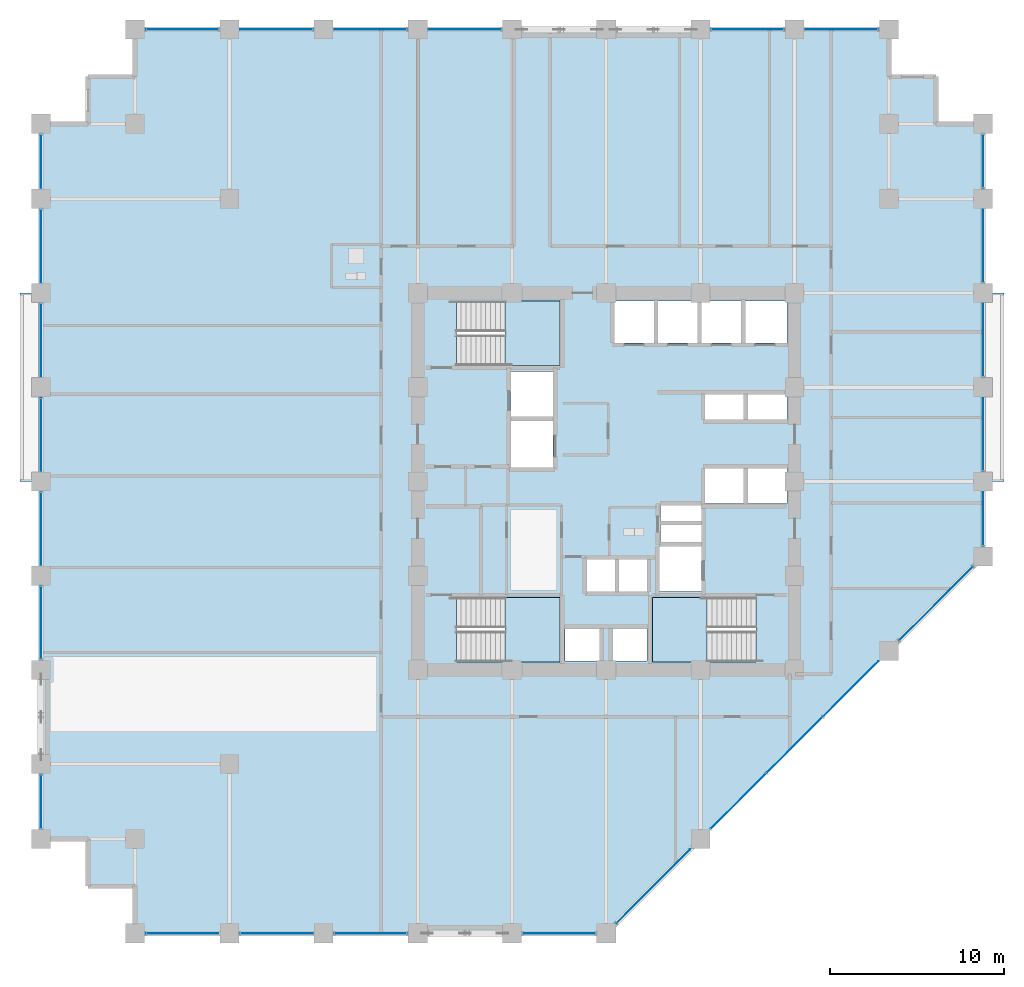
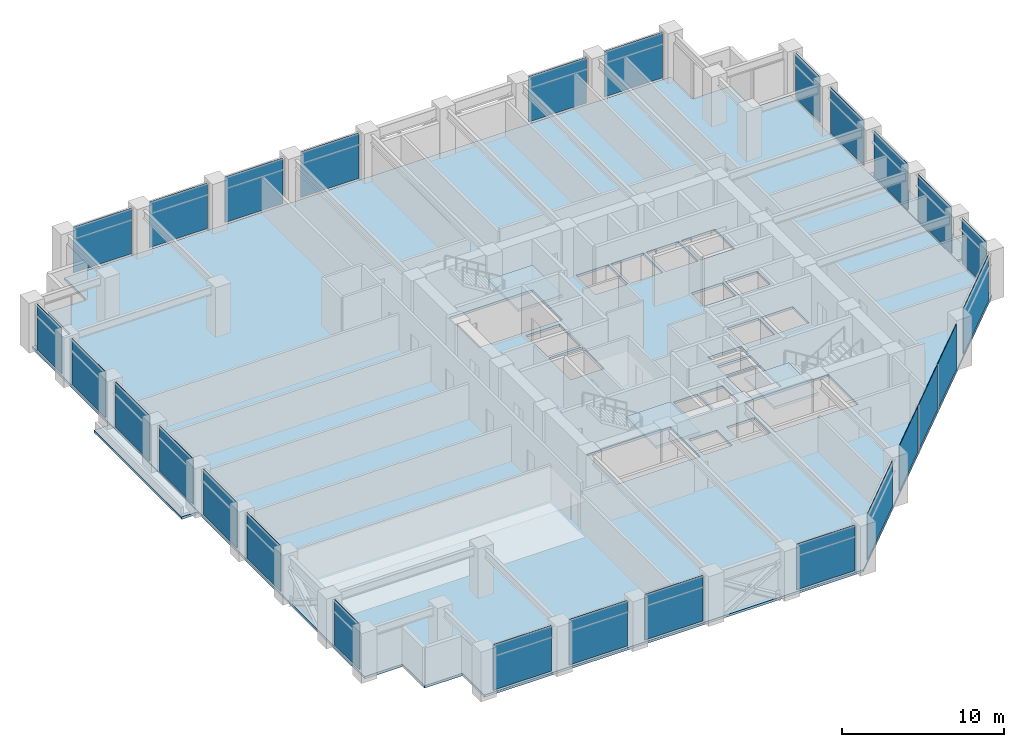
# One storey, part 17 of 24: 27 plates, 6 slabs, 11 elements without a shape of their own.
"""IFC4 building model written with IfcOpenShell, lengths in metres."""

from ifc_helpers import new_model, si_unit, direction, frame, frame_2d, origin, place, context, subcontext, project, spatial, polyline, rectangle, outline, extrude, material, layer, layer_set, type_object, element, aggregate, save


model = new_model("IFC4")

# Units and contexts
model_context = context("Model", 3, precision=1e-05, world=origin(), true_north=direction((0.0, 1.0)))
body_context = subcontext(model_context, "Body", "Model", "MODEL_VIEW")
ifc_project = project(units=[si_unit("LENGTHUNIT", "METRE"), si_unit("AREAUNIT", "SQUARE_METRE"), si_unit("VOLUMEUNIT", "CUBIC_METRE"), si_unit("PLANEANGLEUNIT", "RADIAN"), si_unit("MASSUNIT", "GRAM", prefix="KILO")], contexts=[model_context])

# Site, building, storey
site_placement = place(None, origin())
site = spatial("IfcSite", under=ifc_project, at=site_placement, CompositionType="ELEMENT")
building_placement = place(site_placement, origin())
building = spatial("IfcBuilding", under=site, at=building_placement, Name="Surkhivell Harbour Commons", CompositionType="ELEMENT")
storey_placement = place(building_placement, frame((0.0, 0.0, 105.75)))
storey = spatial("IfcBuildingStorey", under=building, at=storey_placement, Name="L27", CompositionType="ELEMENT", Elevation=105.75)

# Curtain wall, plates
ifc_material_1 = material(Name="Anodised pale-metal aluminium and insulated glazing", Category="aluminium")
ifc_layer_1 = layer(ifc_material_1, 0.205078125)
ifc_layer_set_1 = layer_set([ifc_layer_1], Name="Anodised pale-metal aluminium and insulated glazing")
curtain_wall_type = type_object("IfcCurtainWallType", Name="CW-SYS-Z2", PredefinedType="NOTDEFINED", material=ifc_layer_set_1)
curtain_wall_1_placement = place(storey_placement, origin())
curtain_wall_1 = element("IfcCurtainWall", 1, at=curtain_wall_1_placement, inside=storey, type_object=curtain_wall_type, Name="L27 Curtain Wall CW-L27-E00S1", PredefinedType="NOTDEFINED")
ifc_material_2 = material(Name="High-pressure typhoon laminated vision glass", Category="glass")
ifc_layer_2 = layer(ifc_material_2, 0.035888671875)
ifc_layer_set_2 = layer_set([ifc_layer_2], Name="High-pressure typhoon laminated vision glass")
plate_type = type_object("IfcPlateType", Name="CWP-GLZ-36", PredefinedType="CURTAIN_PANEL", material=ifc_layer_set_2)
plate_1_placement = place(storey_placement, frame((-26.373046875, -25.89990234375, 0.14990234375), z_axis=(0.0, 0.0, 1.0), x_axis=(1.0, 0.0, 0.0)))
plate_1 = element("IfcPlate", 2, at=plate_1_placement, type_object=plate_type, Name="CW-Z2 panel 1.1", PredefinedType="CURTAIN_PANEL", context=body_context, shape_type="SweptSolid", body=[
    extrude(rectangle(XDim=4.14599609375, YDim=0.035888671875, at=frame_2d((2.072998046875, 0.0))), origin(), (0.0, 0.0, 1.0), 3.420166015625),
])
plate_2_placement = place(storey_placement, frame((-20.972900390625, -25.89990234375, 0.14990234375), z_axis=(0.0, 0.0, 1.0), x_axis=(1.0, 0.0, 0.0)))
plate_2 = element("IfcPlate", 3, at=plate_2_placement, type_object=plate_type, Name="CW-Z2 panel 2.1", PredefinedType="CURTAIN_PANEL", context=body_context, shape_type="SweptSolid", body=[
    extrude(rectangle(XDim=4.14599609375, YDim=0.035888671875, at=frame_2d((2.072998046875, 0.0))), origin(), (0.0, 0.0, 1.0), 3.420166015625),
])
plate_3_placement = place(storey_placement, frame((-15.572998046875, -25.89990234375, 0.14990234375), z_axis=(0.0, 0.0, 1.0), x_axis=(1.0, 0.0, 0.0)))
plate_3 = element("IfcPlate", 4, at=plate_3_placement, type_object=plate_type, Name="CW-Z2 panel 3.1", PredefinedType="CURTAIN_PANEL", context=body_context, shape_type="SweptSolid", body=[
    extrude(rectangle(XDim=4.14599609375, YDim=0.035888671875, at=frame_2d((2.072998046875, 0.0))), origin(), (0.0, 0.0, 1.0), 3.420166015625),
])
aggregate(curtain_wall_1, [plate_1, plate_2, plate_3])

# Curtain wall, plate
curtain_wall_2_placement = place(storey_placement, origin())
curtain_wall_2 = element("IfcCurtainWall", 5, at=curtain_wall_2_placement, inside=storey, type_object=curtain_wall_type, Name="L27 Curtain Wall CW-L27-E00S2", PredefinedType="NOTDEFINED")
plate_4_placement = place(storey_placement, frame((-4.77294921875, -25.89990234375, 0.14990234375), z_axis=(0.0, 0.0, 1.0), x_axis=(1.0, 0.0, 0.0)))
plate_4 = element("IfcPlate", 6, at=plate_4_placement, type_object=plate_type, Name="CW-Z2 panel 1.1", PredefinedType="CURTAIN_PANEL", context=body_context, shape_type="SweptSolid", body=[
    extrude(rectangle(XDim=4.14599609375, YDim=0.035888671875, at=frame_2d((2.072998046875, 0.0))), origin(), (0.0, 0.0, 1.0), 3.420166015625),
])
aggregate(curtain_wall_2, [plate_4])

# Curtain wall, plates
curtain_wall_3_placement = place(storey_placement, origin())
curtain_wall_3 = element("IfcCurtainWall", 7, at=curtain_wall_3_placement, inside=storey, type_object=curtain_wall_type, Name="L27 Curtain Wall CW-L27-E01", PredefinedType="NOTDEFINED")
plate_5_placement = place(storey_placement, frame((0.604736328125, -25.295166015625, 0.14990234375), z_axis=(0.0, 0.0, 1.0), x_axis=(0.707106781187, 0.707106781187, 0.0)))
plate_5 = element("IfcPlate", 8, at=plate_5_placement, type_object=plate_type, Name="CW-Z2 panel 1.1", PredefinedType="CURTAIN_PANEL", context=body_context, shape_type="SweptSolid", body=[
    extrude(rectangle(XDim=5.92626953125, YDim=0.035888671875, at=frame_2d((2.963134765625, 0.0))), origin(), (0.0, 0.0, 1.0), 3.420166015625),
])
plate_6_placement = place(storey_placement, frame((6.004638671875, -19.895263671875, 0.14990234375), z_axis=(0.0, 0.0, 1.0), x_axis=(0.707134159244, 0.707079402069, 0.0)))
plate_6 = element("IfcPlate", 9, at=plate_6_placement, type_object=plate_type, Name="CW-Z2 panel 2.1", PredefinedType="CURTAIN_PANEL", context=body_context, shape_type="SweptSolid", body=[
    extrude(rectangle(XDim=4.45849609375, YDim=0.035888671875, at=frame_2d((2.229248046875, 0.0))), origin(), (0.0, 0.0, 1.0), 3.420166015625),
])
plate_7_placement = place(storey_placement, frame((9.21044921875, -16.689697265625, 0.14990234375), z_axis=(0.0, 0.0, 1.0), x_axis=(0.707106781187, 0.707106781187, 0.0)))
plate_7 = element("IfcPlate", 10, at=plate_7_placement, type_object=plate_type, Name="CW-Z2 panel 3.1", PredefinedType="CURTAIN_PANEL", context=body_context, shape_type="SweptSolid", body=[
    extrude(rectangle(XDim=4.49609375, YDim=0.035888671875, at=frame_2d((2.248046875, 0.0))), origin(), (0.0, 0.0, 1.0), 3.420166015625),
])
plate_8_placement = place(storey_placement, frame((12.442626953125, -13.457275390625, 0.14990234375), z_axis=(0.0, 0.0, 1.0), x_axis=(0.707106781187, 0.707106781187, 0.0)))
plate_8 = element("IfcPlate", 11, at=plate_8_placement, type_object=plate_type, Name="CW-Z2 panel 4.1", PredefinedType="CURTAIN_PANEL", context=body_context, shape_type="SweptSolid", body=[
    extrude(rectangle(XDim=4.45849609375, YDim=0.035888671875, at=frame_2d((2.229248046875, 0.0))), origin(), (0.0, 0.0, 1.0), 3.420166015625),
])
plate_9_placement = place(storey_placement, frame((16.8046875, -9.09521484375, 0.14990234375), z_axis=(0.0, 0.0, 1.0), x_axis=(0.707127378829, 0.707086182944, 0.0)))
plate_9 = element("IfcPlate", 12, at=plate_9_placement, type_object=plate_type, Name="CW-Z2 panel 5.1", PredefinedType="CURTAIN_PANEL", context=body_context, shape_type="SweptSolid", body=[
    extrude(rectangle(XDim=5.92626953125, YDim=0.035888671875, at=frame_2d((2.963134765625, 0.0))), origin(), (0.0, 0.0, 1.0), 3.420166015625),
])
aggregate(curtain_wall_3, [plate_5, plate_6, plate_7, plate_8, plate_9])

curtain_wall_4_placement = place(storey_placement, origin())
curtain_wall_4 = element("IfcCurtainWall", 13, at=curtain_wall_4_placement, inside=storey, type_object=curtain_wall_type, Name="L27 Curtain Wall CW-L27-E02", PredefinedType="NOTDEFINED")
plate_10_placement = place(storey_placement, frame((21.60009765625, -3.673095703125, 0.14990234375), z_axis=(0.0, 0.0, 1.0), x_axis=(0.0, 1.0, 0.0)))
plate_10 = element("IfcPlate", 14, at=plate_10_placement, type_object=plate_type, Name="CW-Z2 panel 1.1", PredefinedType="CURTAIN_PANEL", context=body_context, shape_type="SweptSolid", body=[
    extrude(rectangle(XDim=3.046142578125, YDim=0.035888671875, at=frame_2d((1.52294921875, 0.0))), origin(), (0.0, 0.0, 1.0), 3.420166015625),
])
plate_11_placement = place(storey_placement, frame((21.60009765625, 0.626953125, 0.14990234375), z_axis=(0.0, 0.0, 1.0), x_axis=(0.0, 1.0, 0.0)))
plate_11 = element("IfcPlate", 15, at=plate_11_placement, type_object=plate_type, Name="CW-Z2 panel 2.1", PredefinedType="CURTAIN_PANEL", context=body_context, shape_type="SweptSolid", body=[
    extrude(rectangle(XDim=4.14599609375, YDim=0.035888671875, at=frame_2d((2.072998046875, 0.0))), origin(), (0.0, 0.0, 1.0), 3.420166015625),
])
plate_12_placement = place(storey_placement, frame((21.60009765625, 6.027099609375, 0.14990234375), z_axis=(0.0, 0.0, 1.0), x_axis=(0.0, 1.0, 0.0)))
plate_12 = element("IfcPlate", 16, at=plate_12_placement, type_object=plate_type, Name="CW-Z2 panel 3.1", PredefinedType="CURTAIN_PANEL", context=body_context, shape_type="SweptSolid", body=[
    extrude(rectangle(XDim=4.14599609375, YDim=0.035888671875, at=frame_2d((2.072998046875, 0.0))), origin(), (0.0, 0.0, 1.0), 3.420166015625),
])
plate_13_placement = place(storey_placement, frame((21.60009765625, 11.427001953125, 0.14990234375), z_axis=(0.0, 0.0, 1.0), x_axis=(0.0, 1.0, 0.0)))
plate_13 = element("IfcPlate", 17, at=plate_13_placement, type_object=plate_type, Name="CW-Z2 panel 4.1", PredefinedType="CURTAIN_PANEL", context=body_context, shape_type="SweptSolid", body=[
    extrude(rectangle(XDim=4.14599609375, YDim=0.035888671875, at=frame_2d((2.072998046875, 0.0))), origin(), (0.0, 0.0, 1.0), 3.420166015625),
])
plate_14_placement = place(storey_placement, frame((21.60009765625, 16.826904296875, 0.14990234375), z_axis=(0.0, 0.0, 1.0), x_axis=(0.0, 1.0, 0.0)))
plate_14 = element("IfcPlate", 18, at=plate_14_placement, type_object=plate_type, Name="CW-Z2 panel 5.1", PredefinedType="CURTAIN_PANEL", context=body_context, shape_type="SweptSolid", body=[
    extrude(rectangle(XDim=3.046142578125, YDim=0.035888671875, at=frame_2d((1.52294921875, 0.0))), origin(), (0.0, 0.0, 1.0), 3.420166015625),
])
aggregate(curtain_wall_4, [plate_10, plate_11, plate_12, plate_13, plate_14])

curtain_wall_5_placement = place(storey_placement, origin())
curtain_wall_5 = element("IfcCurtainWall", 19, at=curtain_wall_5_placement, inside=storey, type_object=curtain_wall_type, Name="L27 Curtain Wall CW-L27-E07S1", PredefinedType="NOTDEFINED")
plate_15_placement = place(storey_placement, frame((15.572998046875, 25.89990234375, 0.14990234375), z_axis=(0.0, 0.0, 1.0), x_axis=(-1.0, 0.0, 0.0)))
plate_15 = element("IfcPlate", 20, at=plate_15_placement, type_object=plate_type, Name="CW-Z2 panel 1.1", PredefinedType="CURTAIN_PANEL", context=body_context, shape_type="SweptSolid", body=[
    extrude(rectangle(XDim=4.14599609375, YDim=0.035888671875, at=frame_2d((2.072998046875, 0.0))), origin(), (0.0, 0.0, 1.0), 3.420166015625),
])
plate_16_placement = place(storey_placement, frame((10.173095703125, 25.89990234375, 0.14990234375), z_axis=(0.0, 0.0, 1.0), x_axis=(-1.0, 0.0, 0.0)))
plate_16 = element("IfcPlate", 21, at=plate_16_placement, type_object=plate_type, Name="CW-Z2 panel 2.1", PredefinedType="CURTAIN_PANEL", context=body_context, shape_type="SweptSolid", body=[
    extrude(rectangle(XDim=4.14599609375, YDim=0.035888671875, at=frame_2d((2.072998046875, 0.0))), origin(), (0.0, 0.0, 1.0), 3.420166015625),
])
aggregate(curtain_wall_5, [plate_15, plate_16])

curtain_wall_6_placement = place(storey_placement, origin())
curtain_wall_6 = element("IfcCurtainWall", 22, at=curtain_wall_6_placement, inside=storey, type_object=curtain_wall_type, Name="L27 Curtain Wall CW-L27-E07S2", PredefinedType="NOTDEFINED")
plate_17_placement = place(storey_placement, frame((-6.027099609375, 25.89990234375, 0.14990234375), z_axis=(0.0, 0.0, 1.0), x_axis=(-1.0, 0.0, 0.0)))
plate_17 = element("IfcPlate", 23, at=plate_17_placement, type_object=plate_type, Name="CW-Z2 panel 1.1", PredefinedType="CURTAIN_PANEL", context=body_context, shape_type="SweptSolid", body=[
    extrude(rectangle(XDim=4.14599609375, YDim=0.035888671875, at=frame_2d((2.072998046875, 0.0))), origin(), (0.0, 0.0, 1.0), 3.420166015625),
])
plate_18_placement = place(storey_placement, frame((-11.427001953125, 25.89990234375, 0.14990234375), z_axis=(0.0, 0.0, 1.0), x_axis=(-1.0, 0.0, 0.0)))
plate_18 = element("IfcPlate", 24, at=plate_18_placement, type_object=plate_type, Name="CW-Z2 panel 2.1", PredefinedType="CURTAIN_PANEL", context=body_context, shape_type="SweptSolid", body=[
    extrude(rectangle(XDim=4.14599609375, YDim=0.035888671875, at=frame_2d((2.072998046875, 0.0))), origin(), (0.0, 0.0, 1.0), 3.420166015625),
])
plate_19_placement = place(storey_placement, frame((-16.826904296875, 25.89990234375, 0.14990234375), z_axis=(0.0, 0.0, 1.0), x_axis=(-1.0, 0.0, 0.0)))
plate_19 = element("IfcPlate", 25, at=plate_19_placement, type_object=plate_type, Name="CW-Z2 panel 3.1", PredefinedType="CURTAIN_PANEL", context=body_context, shape_type="SweptSolid", body=[
    extrude(rectangle(XDim=4.14599609375, YDim=0.035888671875, at=frame_2d((2.072998046875, 0.0))), origin(), (0.0, 0.0, 1.0), 3.420166015625),
])
plate_20_placement = place(storey_placement, frame((-22.22705078125, 25.89990234375, 0.14990234375), z_axis=(0.0, 0.0, 1.0), x_axis=(-1.0, 0.0, 0.0)))
plate_20 = element("IfcPlate", 26, at=plate_20_placement, type_object=plate_type, Name="CW-Z2 panel 4.1", PredefinedType="CURTAIN_PANEL", context=body_context, shape_type="SweptSolid", body=[
    extrude(rectangle(XDim=4.14599609375, YDim=0.035888671875, at=frame_2d((2.072998046875, 0.0))), origin(), (0.0, 0.0, 1.0), 3.420166015625),
])
aggregate(curtain_wall_6, [plate_17, plate_18, plate_19, plate_20])

curtain_wall_7_placement = place(storey_placement, origin())
curtain_wall_7 = element("IfcCurtainWall", 27, at=curtain_wall_7_placement, inside=storey, type_object=curtain_wall_type, Name="L27 Curtain Wall CW-L27-E12S1", PredefinedType="NOTDEFINED")
plate_21_placement = place(storey_placement, frame((-32.39990234375, 19.873046875, 0.14990234375), z_axis=(0.0, 0.0, 1.0), x_axis=(0.0, -1.0, 0.0)))
plate_21 = element("IfcPlate", 28, at=plate_21_placement, type_object=plate_type, Name="CW-Z2 panel 1.1", PredefinedType="CURTAIN_PANEL", context=body_context, shape_type="SweptSolid", body=[
    extrude(rectangle(XDim=3.046142578125, YDim=0.035888671875, at=frame_2d((1.52294921875, 0.0))), origin(), (0.0, 0.0, 1.0), 3.420166015625),
])
plate_22_placement = place(storey_placement, frame((-32.39990234375, 15.572998046875, 0.14990234375), z_axis=(0.0, 0.0, 1.0), x_axis=(0.0, -1.0, 0.0)))
plate_22 = element("IfcPlate", 29, at=plate_22_placement, type_object=plate_type, Name="CW-Z2 panel 2.1", PredefinedType="CURTAIN_PANEL", context=body_context, shape_type="SweptSolid", body=[
    extrude(rectangle(XDim=4.14599609375, YDim=0.035888671875, at=frame_2d((2.072998046875, 0.0))), origin(), (0.0, 0.0, 1.0), 3.420166015625),
])
plate_23_placement = place(storey_placement, frame((-32.39990234375, 10.173095703125, 0.14990234375), z_axis=(0.0, 0.0, 1.0), x_axis=(0.0, -1.0, 0.0)))
plate_23 = element("IfcPlate", 30, at=plate_23_placement, type_object=plate_type, Name="CW-Z2 panel 3.1", PredefinedType="CURTAIN_PANEL", context=body_context, shape_type="SweptSolid", body=[
    extrude(rectangle(XDim=4.14599609375, YDim=0.035888671875, at=frame_2d((2.072998046875, 0.0))), origin(), (0.0, 0.0, 1.0), 3.420166015625),
])
plate_24_placement = place(storey_placement, frame((-32.39990234375, 4.77294921875, 0.14990234375), z_axis=(0.0, 0.0, 1.0), x_axis=(0.0, -1.0, 0.0)))
plate_24 = element("IfcPlate", 31, at=plate_24_placement, type_object=plate_type, Name="CW-Z2 panel 4.1", PredefinedType="CURTAIN_PANEL", context=body_context, shape_type="SweptSolid", body=[
    extrude(rectangle(XDim=4.14599609375, YDim=0.035888671875, at=frame_2d((2.072998046875, 0.0))), origin(), (0.0, 0.0, 1.0), 3.420166015625),
])
plate_25_placement = place(storey_placement, frame((-32.39990234375, -0.626953125, 0.14990234375), z_axis=(0.0, 0.0, 1.0), x_axis=(0.0, -1.0, 0.0)))
plate_25 = element("IfcPlate", 32, at=plate_25_placement, type_object=plate_type, Name="CW-Z2 panel 5.1", PredefinedType="CURTAIN_PANEL", context=body_context, shape_type="SweptSolid", body=[
    extrude(rectangle(XDim=4.14599609375, YDim=0.035888671875, at=frame_2d((2.072998046875, 0.0))), origin(), (0.0, 0.0, 1.0), 3.420166015625),
])
plate_26_placement = place(storey_placement, frame((-32.39990234375, -6.027099609375, 0.14990234375), z_axis=(0.0, 0.0, 1.0), x_axis=(0.0, -1.0, 0.0)))
plate_26 = element("IfcPlate", 33, at=plate_26_placement, type_object=plate_type, Name="CW-Z2 panel 6.1", PredefinedType="CURTAIN_PANEL", context=body_context, shape_type="SweptSolid", body=[
    extrude(rectangle(XDim=4.14599609375, YDim=0.035888671875, at=frame_2d((2.072998046875, 0.0))), origin(), (0.0, 0.0, 1.0), 3.420166015625),
])
aggregate(curtain_wall_7, [plate_21, plate_22, plate_23, plate_24, plate_25, plate_26])

# Curtain wall, plate
curtain_wall_8_placement = place(storey_placement, origin())
curtain_wall_8 = element("IfcCurtainWall", 34, at=curtain_wall_8_placement, inside=storey, type_object=curtain_wall_type, Name="L27 Curtain Wall CW-L27-E12S2", PredefinedType="NOTDEFINED")
plate_27_placement = place(storey_placement, frame((-32.39990234375, -16.826904296875, 0.14990234375), z_axis=(0.0, 0.0, 1.0), x_axis=(0.0, -1.0, 0.0)))
plate_27 = element("IfcPlate", 35, at=plate_27_placement, type_object=plate_type, Name="CW-Z2 panel 1.1", PredefinedType="CURTAIN_PANEL", context=body_context, shape_type="SweptSolid", body=[
    extrude(rectangle(XDim=3.046142578125, YDim=0.035888671875, at=frame_2d((1.52294921875, 0.0))), origin(), (0.0, 0.0, 1.0), 3.420166015625),
])
aggregate(curtain_wall_8, [plate_27])

# Slabs
ifc_material_3 = material(Name="Concrete C45/55", Category="concrete")
ifc_layer_3 = layer(ifc_material_3, 0.179931640625)
ifc_layer_set_3 = layer_set([ifc_layer_3], Name="Concrete C45/55")
slab_type_1 = type_object("IfcSlabType", Name="SLB-BOXRF-180", PredefinedType="ROOF", material=ifc_layer_set_3)
slab_1_placement = place(storey_placement, frame((0.0, 0.0, -0.179931640625)))
element("IfcSlab", 36, at=slab_1_placement, inside=storey, type_object=slab_type_1, Name="L27 Closed Box-Cluster Roof Slab 1", PredefinedType="ROOF", context=body_context, shape_type="SweptSolid", body=[
    extrude(outline(polyline([(22.800048828125, 10.800048828125), (21.6201171875, 10.800048828125), (21.6201171875, 0.0), (22.800048828125, 0.0), (22.800048828125, 10.800048828125)])), origin(), (0.0, 0.0, 1.0), 0.179931640625),
])
slab_2_placement = place(storey_placement, frame((0.0, 0.0, -0.179931640625)))
element("IfcSlab", 37, at=slab_2_placement, inside=storey, type_object=slab_type_1, Name="L27 Closed Box-Cluster Roof Slab 2", PredefinedType="ROOF", context=body_context, shape_type="SweptSolid", body=[
    extrude(outline(polyline([(-33.60009765625, 0.0), (-32.419921875, 0.0), (-32.419921875, 10.800048828125), (-33.60009765625, 10.800048828125), (-33.60009765625, 0.0)])), origin(), (0.0, 0.0, 1.0), 0.179931640625),
])

# Stair, slab
ifc_material_4 = material(Name="Precast concrete C45/55", Category="concrete")
stair_type = type_object("IfcStairType", Name="STR-DL-375", PredefinedType="HALF_TURN_STAIR", material=ifc_material_4)
stair_1_placement = place(storey_placement, origin())
stair_1 = element("IfcStair", 38, at=stair_1_placement, inside=storey, type_object=stair_type, Name="L27 Core Exit Stair ST1", PredefinedType="HALF_TURN_STAIR")
ifc_material_5 = material(Name="Reinforced concrete C45/55", Category="concrete")
ifc_layer_4 = layer(ifc_material_5, 0.199951171875)
ifc_layer_set_4 = layer_set([ifc_layer_4], Name="Reinforced concrete C45/55")
slab_type_2 = type_object("IfcSlabType", Name="SLB-ST-LND200", PredefinedType="LANDING", material=ifc_layer_set_4)
slab_3_placement = place(storey_placement, frame((0.0, 0.0, 1.675048828125)))
slab_3 = element("IfcSlab", 39, at=slab_3_placement, type_object=slab_type_2, Name="ST1 landing 1", PredefinedType="LANDING", context=body_context, shape_type="SweptSolid", body=[
    extrude(outline(polyline([(-5.7900390625, 6.639892578125), (-2.639892578125, 6.639892578125), (-2.639892578125, 10.340087890625), (-5.7900390625, 10.340087890625), (-5.7900390625, 6.639892578125)])), origin(), (0.0, 0.0, 1.0), 0.199951171875),
])
aggregate(stair_1, [slab_3])

stair_2_placement = place(storey_placement, origin())
stair_2 = element("IfcStair", 40, at=stair_2_placement, inside=storey, type_object=stair_type, Name="L27 Core Exit Stair ST2", PredefinedType="HALF_TURN_STAIR")
slab_4_placement = place(storey_placement, frame((0.0, 0.0, 1.675048828125)))
slab_4 = element("IfcSlab", 41, at=slab_4_placement, type_object=slab_type_2, Name="ST2 landing 1", PredefinedType="LANDING", context=body_context, shape_type="SweptSolid", body=[
    extrude(outline(polyline([(5.7900390625, -6.639892578125), (2.639892578125, -6.639892578125), (2.639892578125, -10.340087890625), (5.7900390625, -10.340087890625), (5.7900390625, -6.639892578125)])), origin(), (0.0, 0.0, 1.0), 0.199951171875),
])
aggregate(stair_2, [slab_4])

stair_3_placement = place(storey_placement, origin())
stair_3 = element("IfcStair", 42, at=stair_3_placement, inside=storey, type_object=stair_type, Name="L27 Core Exit Stair ST3", PredefinedType="HALF_TURN_STAIR")
slab_5_placement = place(storey_placement, frame((0.0, 0.0, 1.675048828125)))
slab_5 = element("IfcSlab", 43, at=slab_5_placement, type_object=slab_type_2, Name="ST3 landing 1", PredefinedType="LANDING", context=body_context, shape_type="SweptSolid", body=[
    extrude(outline(polyline([(-5.7900390625, -10.340087890625), (-2.639892578125, -10.340087890625), (-2.639892578125, -6.639892578125), (-5.7900390625, -6.639892578125), (-5.7900390625, -10.340087890625)])), origin(), (0.0, 0.0, 1.0), 0.199951171875),
])
aggregate(stair_3, [slab_5])

# Slab
ifc_layer_5 = layer(ifc_material_3, 0.179931640625)
ifc_layer_set_5 = layer_set([ifc_layer_5], Name="Concrete C45/55")
slab_type_3 = type_object("IfcSlabType", Name="SLB-TYP-180", PredefinedType="FLOOR", material=ifc_layer_set_5)
slab_6_placement = place(storey_placement, frame((0.0, 0.0, -0.179931640625)))
element("IfcSlab", 44, at=slab_6_placement, inside=storey, type_object=slab_type_3, Name="L27 Structural Floor Slab", PredefinedType="FLOOR", context=body_context, shape_type="SweptSolid", body=[
    extrude(outline(polyline([(-27.0, -25.89990234375), (0.0, -25.89990234375), (21.60009765625, -4.300048828125), (21.60009765625, 20.5), (18.89990234375, 20.5), (18.89990234375, 23.199951171875), (16.199951171875, 23.199951171875), (16.199951171875, 25.89990234375), (-27.0, 25.89990234375), (-27.0, 23.199951171875), (-29.699951171875, 23.199951171875), (-29.699951171875, 20.5), (-32.39990234375, 20.5), (-32.39990234375, -20.5), (-29.699951171875, -20.5), (-29.699951171875, -23.199951171875), (-27.0, -23.199951171875), (-27.0, -25.89990234375)]), holes=[polyline([(-8.590087890625, 6.639892578125), (-2.639892578125, 6.639892578125), (-2.639892578125, 10.340087890625), (-8.590087890625, 10.340087890625), (-8.590087890625, 6.639892578125)]), polyline([(8.590087890625, -6.639892578125), (2.639892578125, -6.639892578125), (2.639892578125, -10.340087890625), (8.590087890625, -10.340087890625), (8.590087890625, -6.639892578125)]), polyline([(-8.590087890625, -10.340087890625), (-2.639892578125, -10.340087890625), (-2.639892578125, -6.639892578125), (-8.590087890625, -6.639892578125), (-8.590087890625, -10.340087890625)]), polyline([(0.449951171875, 7.949951171875), (2.75, 7.949951171875), (2.75, 10.35009765625), (0.449951171875, 10.35009765625), (0.449951171875, 7.949951171875)]), polyline([(2.949951171875, 7.949951171875), (5.25, 7.949951171875), (5.25, 10.35009765625), (2.949951171875, 10.35009765625), (2.949951171875, 7.949951171875)]), polyline([(5.449951171875, 7.949951171875), (7.75, 7.949951171875), (7.75, 10.35009765625), (5.449951171875, 10.35009765625), (5.449951171875, 7.949951171875)]), polyline([(7.949951171875, 7.949951171875), (10.35009765625, 7.949951171875), (10.35009765625, 10.35009765625), (7.949951171875, 10.35009765625), (7.949951171875, 7.949951171875)]), polyline([(5.64990234375, 3.550048828125), (7.89990234375, 3.550048828125), (7.89990234375, 5.14990234375), (5.64990234375, 5.14990234375), (5.64990234375, 3.550048828125)]), polyline([(8.10009765625, 3.550048828125), (10.35009765625, 3.550048828125), (10.35009765625, 5.14990234375), (8.10009765625, 5.14990234375), (8.10009765625, 3.550048828125)]), polyline([(5.64990234375, -1.25), (7.89990234375, -1.25), (7.89990234375, 0.75), (5.64990234375, 0.75), (5.64990234375, -1.25)]), polyline([(8.10009765625, -1.25), (10.35009765625, -1.25), (10.35009765625, 0.75), (8.10009765625, 0.75), (8.10009765625, -1.25)]), polyline([(-1.14990234375, -6.35009765625), (0.550048828125, -6.35009765625), (0.550048828125, -4.449951171875), (-1.14990234375, -4.449951171875), (-1.14990234375, -6.35009765625)]), polyline([(0.679931640625, -6.35009765625), (2.3798828125, -6.35009765625), (2.3798828125, -4.449951171875), (0.679931640625, -4.449951171875), (0.679931640625, -6.35009765625)]), polyline([(-2.35009765625, -10.300048828125), (-0.35009765625, -10.300048828125), (-0.35009765625, -8.39990234375), (-2.35009765625, -8.39990234375), (-2.35009765625, -10.300048828125)]), polyline([(0.35009765625, -10.300048828125), (2.35009765625, -10.300048828125), (2.35009765625, -8.39990234375), (0.35009765625, -8.39990234375), (0.35009765625, -10.300048828125)]), polyline([(-5.449951171875, 3.699951171875), (-3.050048828125, 3.699951171875), (-3.050048828125, 6.300048828125), (-5.449951171875, 6.300048828125), (-5.449951171875, 3.699951171875)]), polyline([(3.050048828125, -6.300048828125), (5.449951171875, -6.300048828125), (5.449951171875, -3.699951171875), (3.050048828125, -3.699951171875), (3.050048828125, -6.300048828125)]), polyline([(-5.449951171875, 0.800048828125), (-3.050048828125, 0.800048828125), (-3.050048828125, 3.5), (-5.449951171875, 3.5), (-5.449951171875, 0.800048828125)]), polyline([(3.10009765625, -3.550048828125), (5.449951171875, -3.550048828125), (5.449951171875, -2.47998046875), (3.10009765625, -2.47998046875), (3.10009765625, -3.550048828125)]), polyline([(3.10009765625, -2.280029296875), (5.449951171875, -2.280029296875), (5.449951171875, -1.35009765625), (3.10009765625, -1.35009765625), (3.10009765625, -2.280029296875)])]), origin(), (0.0, 0.0, 1.0), 0.179931640625),
])

save(model, "model.ifc")
